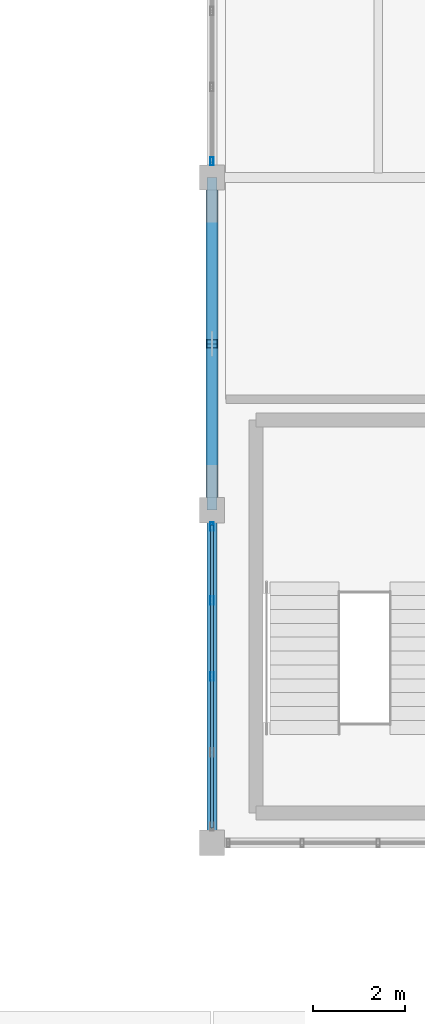
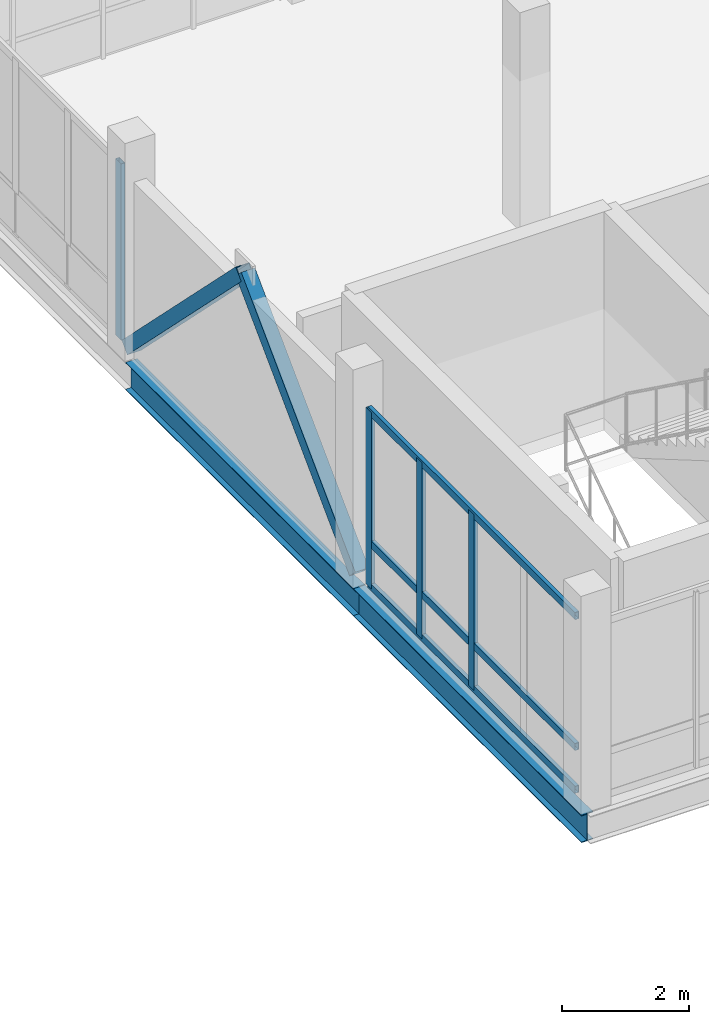
# One storey, part 16 of 47: 9 members, 2 beams, 2 elements without a shape of their own.
"""IFC4 building model written with IfcOpenShell, lengths in metres."""

from ifc_helpers import new_model, si_unit, direction, frame, origin, origin_2d, place, context, subcontext, project, spatial, hollow_rectangle, i_section, extrude, material, material_profile, profile_set, type_object, element, aggregate, save


model = new_model("IFC4")

# Units and contexts
model_context = context("Model", 3, precision=1e-05, world=origin(), true_north=direction((0.0, 1.0)))
body_context = subcontext(model_context, "Body", "Model", "MODEL_VIEW")
ifc_project = project(units=[si_unit("LENGTHUNIT", "METRE"), si_unit("AREAUNIT", "SQUARE_METRE"), si_unit("VOLUMEUNIT", "CUBIC_METRE"), si_unit("PLANEANGLEUNIT", "RADIAN"), si_unit("MASSUNIT", "GRAM", prefix="KILO")], contexts=[model_context])

# Site, building, storey
site_placement = place(None, origin())
site = spatial("IfcSite", under=ifc_project, at=site_placement, CompositionType="ELEMENT")
building_placement = place(site_placement, origin())
building = spatial("IfcBuilding", under=site, at=building_placement, Name="Yarey Park Central Fire Station", CompositionType="ELEMENT")
storey_placement = place(building_placement, frame((0.0, 0.0, 18.0)))
storey = spatial("IfcBuildingStorey", under=building, at=storey_placement, Name="L05", CompositionType="ELEMENT", Elevation=18.0)

# Curtain wall, members
ifc_material_1 = material(Name="Anodized Aluminium Frame", Category="aluminium")
curtain_wall_type = type_object("IfcCurtainWallType", Name="ENV_CW_HQ_L05", PredefinedType="NOTDEFINED", material=ifc_material_1)
curtain_wall_1_placement = place(storey_placement, origin())
curtain_wall_1 = element("IfcCurtainWall", 1, at=curtain_wall_1_placement, inside=storey, type_object=curtain_wall_type, Name="CW_L05_V4_W_93", PredefinedType="NOTDEFINED")
ifc_material_profile_1 = material_profile(ifc_material_1, hollow_rectangle(XDim=0.070068359375, YDim=0.179931640625, WallThickness=0.00390625, at=origin_2d()), Name="ALU 180x70x4")
ifc_profile_set_1 = profile_set([ifc_material_profile_1], Name="Anodized Aluminium Frame")
member_type_1 = type_object("IfcMemberType", Name="ENV_CW_MULLION", PredefinedType="MULLION", material=ifc_profile_set_1)
member_1_placement = place(storey_placement, frame((115.199951171875, 100.449951171875, 0.0), z_axis=(0.0, 0.0, 1.0), x_axis=(1.0, 0.0, 0.0)))
member_1 = element("IfcMember", 2, at=member_1_placement, type_object=member_type_1, Name="CW_L05_V4_W_93_MUL1", PredefinedType="MULLION", context=body_context, shape_type="SweptSolid", body=[
    extrude(hollow_rectangle(XDim=0.070068359375, YDim=0.179931640625, WallThickness=0.00390625, at=origin_2d()), origin(), (0.0, 0.0, 1.0), 3.39990234375),
])
member_2_placement = place(storey_placement, frame((115.199951171875, 98.844970703125, 0.0), z_axis=(0.0, 0.0, 1.0), x_axis=(1.0, 0.0, 0.0)))
member_2 = element("IfcMember", 3, at=member_2_placement, type_object=member_type_1, Name="CW_L05_V4_W_93_MUL2", PredefinedType="MULLION", context=body_context, shape_type="SweptSolid", body=[
    extrude(hollow_rectangle(XDim=0.070068359375, YDim=0.179931640625, WallThickness=0.00390625, at=origin_2d()), origin(), (0.0, 0.0, 1.0), 3.39990234375),
])
member_3_placement = place(storey_placement, frame((115.199951171875, 97.199951171875, 0.0), z_axis=(0.0, 0.0, 1.0), x_axis=(1.0, 0.0, 0.0)))
member_3 = element("IfcMember", 4, at=member_3_placement, type_object=member_type_1, Name="CW_L05_V4_W_93_MUL3", PredefinedType="MULLION", context=body_context, shape_type="SweptSolid", body=[
    extrude(hollow_rectangle(XDim=0.070068359375, YDim=0.179931640625, WallThickness=0.00390625, at=origin_2d()), origin(), (0.0, 0.0, 1.0), 3.39990234375),
])

# Curtain wall, member
curtain_wall_2_placement = place(storey_placement, origin())
curtain_wall_2 = element("IfcCurtainWall", 5, at=curtain_wall_2_placement, inside=storey, type_object=curtain_wall_type, Name="CW_L05_V4_W_108", PredefinedType="NOTDEFINED")
member_4_placement = place(storey_placement, frame((115.199951171875, 108.35009765625, 0.0), z_axis=(0.0, 0.0, 1.0), x_axis=(1.0, 0.0, 0.0)))
member_4 = element("IfcMember", 6, at=member_4_placement, type_object=member_type_1, Name="CW_L05_V4_W_108_MUL5", PredefinedType="MULLION", context=body_context, shape_type="SweptSolid", body=[
    extrude(hollow_rectangle(XDim=0.070068359375, YDim=0.179931640625, WallThickness=0.00390625, at=origin_2d()), origin(), (0.0, 0.0, 1.0), 3.39990234375),
])
aggregate(curtain_wall_2, [member_4])

# Member
ifc_material_profile_2 = material_profile(ifc_material_1, hollow_rectangle(XDim=0.070068359375, YDim=0.139892578125, WallThickness=0.00390625, at=origin_2d()), Name="ALU 140x70x4")
ifc_profile_set_2 = profile_set([ifc_material_profile_2], Name="Anodized Aluminium Frame")
member_type_2 = type_object("IfcMemberType", Name="ENV_CW_TRANSOM", PredefinedType="USERDEFINED", material=ifc_profile_set_2)
member_5_placement = place(storey_placement, frame((115.199951171875, 100.47509765625, 0.02490234375), z_axis=(0.0, -1.0, 0.0), x_axis=(1.0, 0.0, 0.0)))
member_5 = element("IfcMember", 7, at=member_5_placement, type_object=member_type_2, Name="CW_L05_V4_W_93_TRN1", ObjectType="TRANSOM", PredefinedType="USERDEFINED", context=body_context, shape_type="SweptSolid", body=[
    extrude(hollow_rectangle(XDim=0.070068359375, YDim=0.139892578125, WallThickness=0.00390625, at=origin_2d()), origin(), (0.0, 0.0, 1.0), 6.550048828125),
])

member_6_placement = place(storey_placement, frame((115.199951171875, 100.47509765625, 0.85009765625), z_axis=(0.0, -1.0, 0.0), x_axis=(1.0, 0.0, 0.0)))
member_6 = element("IfcMember", 8, at=member_6_placement, type_object=member_type_2, Name="CW_L05_V4_W_93_TRN2", ObjectType="TRANSOM", PredefinedType="USERDEFINED", context=body_context, shape_type="SweptSolid", body=[
    extrude(hollow_rectangle(XDim=0.070068359375, YDim=0.139892578125, WallThickness=0.00390625, at=origin_2d()), origin(), (0.0, 0.0, 1.0), 6.550048828125),
])

member_7_placement = place(storey_placement, frame((115.199951171875, 100.47509765625, 3.375), z_axis=(0.0, -1.0, 0.0), x_axis=(1.0, 0.0, 0.0)))
member_7 = element("IfcMember", 9, at=member_7_placement, type_object=member_type_2, Name="CW_L05_V4_W_93_TRN3", ObjectType="TRANSOM", PredefinedType="USERDEFINED", context=body_context, shape_type="SweptSolid", body=[
    extrude(hollow_rectangle(XDim=0.070068359375, YDim=0.139892578125, WallThickness=0.00390625, at=origin_2d()), origin(), (0.0, 0.0, 1.0), 6.550048828125),
])

aggregate(curtain_wall_1, [member_1, member_2, member_3, member_5, member_6, member_7])

# Beams
ifc_material_2 = material(Name="Steel ASTM A992 Gr. 50", Category="steel")
ifc_material_profile_3 = material_profile(ifc_material_2, i_section(OverallWidth=0.208984375, OverallDepth=0.532958984375, WebThickness=0.01025390625, FlangeThickness=0.015625, at=origin_2d()), Name="W530x92")
ifc_profile_set_3 = profile_set([ifc_material_profile_3], Name="Steel ASTM A992 Gr. 50")
beam_type = type_object("IfcBeamType", Name="STR_BM_W530", PredefinedType="BEAM", material=ifc_profile_set_3)
for number, where, z_axis, x_axis, name in (
    (10, (115.199951171875, 93.60009765625, -0.506591796875), (0.0, 1.0, 0.0), (-1.0, 0.0, 0.0), "BMY L05 X1152 Y936"),
    (11, (115.199951171875, 100.800048828125, -0.506591796875), (0.0, 1.0, 0.0), (-1.0, 0.0, 0.0), "BMY L05 X1152 Y1008"),
):
    element("IfcBeam", number, at=place(storey_placement, frame(where, z_axis=z_axis, x_axis=x_axis)), inside=storey, type_object=beam_type, Name=name, PredefinedType="BEAM", context=body_context, shape_type="SweptSolid", body=[
        extrude(i_section(OverallWidth=0.208984375, OverallDepth=0.532958984375, WebThickness=0.01025390625, FlangeThickness=0.015625, at=origin_2d()), origin(), (0.0, 0.0, 1.0), 7.199951171875),
    ])

# Members
ifc_material_3 = material(Name="Steel ASTM A500 Gr. C", Category="steel")
ifc_material_profile_4 = material_profile(ifc_material_3, hollow_rectangle(XDim=0.25, YDim=0.25, WallThickness=0.012451171875, at=origin_2d()), Name="HSS 250x250x12.5")
ifc_profile_set_4 = profile_set([ifc_material_profile_4], Name="Steel ASTM A500 Gr. C")
member_type_3 = type_object("IfcMemberType", Name="STR_CBF_HSS250", PredefinedType="BRACE", material=ifc_profile_set_4)
for number, where, z_axis, x_axis, name in (
    (12, (115.199951171875, 100.800048828125, 0.050048828125), (0.0, 0.707106781187, 0.707106781187), (-1.0, 0.0, 0.0), "CBF_V4_W1_L05"),
    (13, (115.199951171875, 108.0, 0.050048828125), (0.0, -0.707130757816, 0.707082803744), (1.0, 0.0, 0.0), "CBF_V4_W2_L05"),
):
    element("IfcMember", number, at=place(storey_placement, frame(where, z_axis=z_axis, x_axis=x_axis)), inside=storey, type_object=member_type_3, Name=name, PredefinedType="BRACE", context=body_context, shape_type="SweptSolid", body=[
        extrude(hollow_rectangle(XDim=0.25, YDim=0.25, WallThickness=0.012451171875, at=origin_2d()), origin(), (0.0, 0.0, 1.0), 5.091064453125),
    ])

save(model, "model.ifc")
